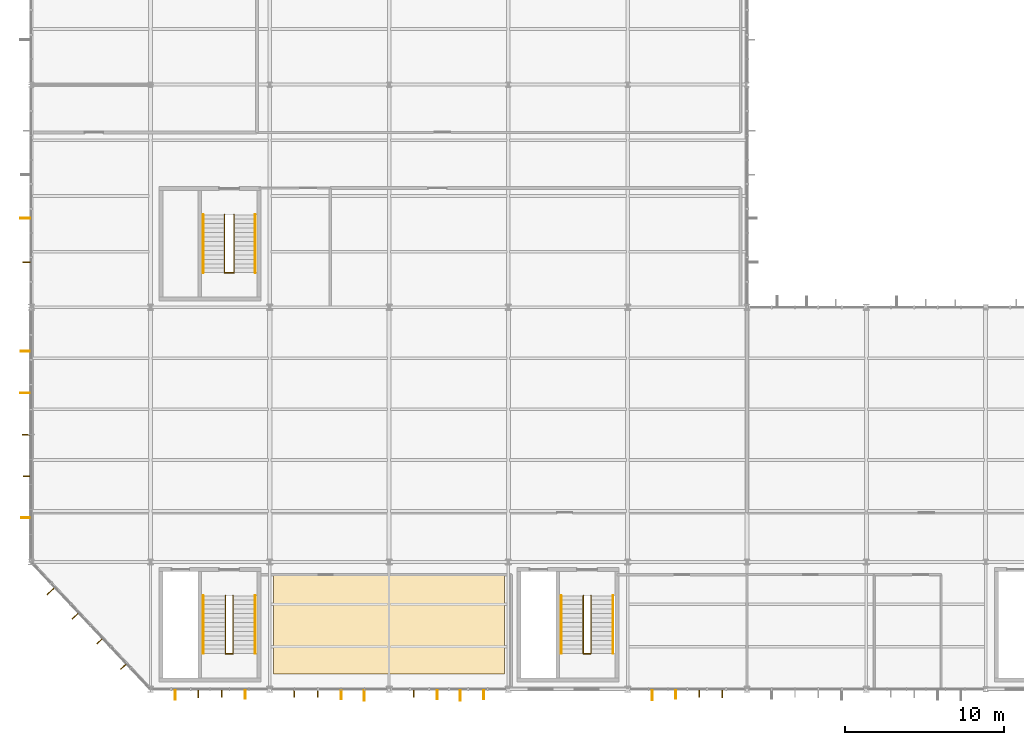
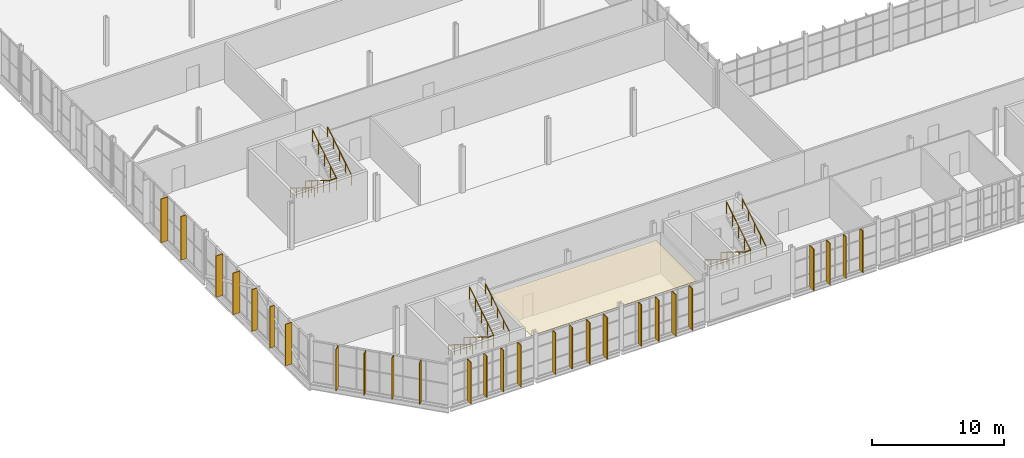
# One storey, part 313 of 324: 28 coverings, 9 railings.
"""IFC4 building model written with IfcOpenShell, lengths in metres."""

from ifc_helpers import new_model, si_unit, direction, frame, origin, origin_2d, place, context, subcontext, project, spatial, polyline, rectangle, circle, outline, extrude, material, layer, layer_set, type_object, element, save


model = new_model("IFC4")

# Units and contexts
model_context = context("Model", 3, precision=1e-05, world=origin(), true_north=direction((0.0, 1.0)))
body_context = subcontext(model_context, "Body", "Model", "MODEL_VIEW")
ifc_project = project(units=[si_unit("LENGTHUNIT", "METRE"), si_unit("AREAUNIT", "SQUARE_METRE"), si_unit("VOLUMEUNIT", "CUBIC_METRE"), si_unit("PLANEANGLEUNIT", "RADIAN"), si_unit("MASSUNIT", "GRAM", prefix="KILO")], contexts=[model_context])

# Site, building, storey
site_placement = place(None, origin())
site = spatial("IfcSite", under=ifc_project, at=site_placement, CompositionType="ELEMENT")
building_placement = place(site_placement, origin())
building = spatial("IfcBuilding", under=site, at=building_placement, Name="Solvenia Promenade Tram Depot", CompositionType="ELEMENT")
storey_placement = place(building_placement, frame((0.0, 0.0, 4.5)))
storey = spatial("IfcBuildingStorey", under=building, at=storey_placement, Name="L01", CompositionType="ELEMENT", Elevation=4.5)

# Coverings
ifc_material_1 = material(Name="Mineral-fibre acoustic ceiling tile", Category="other")
ifc_layer_1 = layer(ifc_material_1, 0.02001953125, Name="Mineral-fibre acoustic ceiling tile", Category="other")
ifc_layer_set_1 = layer_set([ifc_layer_1], Name="Mineral-fibre acoustic ceiling tile")
covering_type_1 = type_object("IfcCoveringType", Name="Ceiling-Acoustic-20", PredefinedType="CEILING", material=ifc_layer_set_1)
covering_1_placement = place(storey_placement, frame((0.0, 0.0, 3.14990234375)))
element("IfcCovering", 1, at=covering_1_placement, inside=storey, type_object=covering_type_1, Name="Operations Briefing Room Acoustic Ceiling", PredefinedType="CEILING", context=body_context, shape_type="SweptSolid", body=[
    extrude(outline(polyline([(15.25, 0.949951171875), (29.75, 0.949951171875), (29.75, 7.159912109375), (15.25, 7.159912109375), (15.25, 0.949951171875)])), origin(), (0.0, 0.0, 1.0), 0.02001953125),
])
ifc_material_2 = material(Name="Anodized aluminium AW-6063 T6", Category="aluminium")
ifc_layer_2 = layer(ifc_material_2, 0.06005859375, Name="Anodized aluminium AW-6063 T6", Category="aluminium")
ifc_layer_set_2 = layer_set([ifc_layer_2], Name="Anodized aluminium AW-6063 T6")
covering_type_2 = type_object("IfcCoveringType", Name="Fin-Param-560", PredefinedType="CLADDING", material=ifc_layer_set_2)
covering_2_placement = place(storey_placement, frame((-0.285888671875, 26.8359375, 0.0), z_axis=(0.0, 0.0, 1.0), x_axis=(0.0, 1.0, 0.0)))
element("IfcCovering", 2, at=covering_2_placement, inside=storey, type_object=covering_type_2, Name="Parametric Vertical Brise-Soleil Fin 229", PredefinedType="CLADDING", context=body_context, shape_type="SweptSolid", body=[
    extrude(rectangle(XDim=0.06005859375, YDim=0.48193359375, at=origin_2d()), origin(), (0.0, 0.0, 1.0), 4.050048828125),
])
covering_3_placement = place(storey_placement, frame((-0.357421875, 29.592041015625, 0.0), z_axis=(0.0, 0.0, 1.0), x_axis=(0.0, 1.0, 0.0)))
element("IfcCovering", 3, at=covering_3_placement, inside=storey, type_object=covering_type_2, Name="Parametric Vertical Brise-Soleil Fin 230", PredefinedType="CLADDING", context=body_context, shape_type="SweptSolid", body=[
    extrude(rectangle(XDim=0.06005859375, YDim=0.625, at=origin_2d()), origin(), (0.0, 0.0, 1.0), 4.050048828125),
])
covering_4_placement = place(storey_placement, frame((1.2255859375, 6.142822265625, 0.0), z_axis=(0.0, 0.0, 1.0), x_axis=(0.683910700219, -0.729565729819, 0.0)))
element("IfcCovering", 4, at=covering_4_placement, inside=storey, type_object=covering_type_2, Name="Parametric Vertical Brise-Soleil Fin 306", PredefinedType="CLADDING", context=body_context, shape_type="SweptSolid", body=[
    extrude(rectangle(XDim=0.06005859375, YDim=0.60205078125, at=origin_2d()), origin(), (0.0, 0.0, 1.0), 3.85009765625),
])
covering_5_placement = place(storey_placement, frame((2.762451171875, 4.577392578125, 0.0), z_axis=(0.0, 0.0, 1.0), x_axis=(0.683910700219, -0.729565729819, 0.0)))
element("IfcCovering", 5, at=covering_5_placement, inside=storey, type_object=covering_type_2, Name="Parametric Vertical Brise-Soleil Fin 307", PredefinedType="CLADDING", context=body_context, shape_type="SweptSolid", body=[
    extrude(rectangle(XDim=0.06005859375, YDim=0.5009765625, at=origin_2d()), origin(), (0.0, 0.0, 1.0), 3.85009765625),
])
covering_6_placement = place(storey_placement, frame((4.289794921875, 3.0029296875, 0.0), z_axis=(0.0, 0.0, 1.0), x_axis=(0.683910700219, -0.729565729819, 0.0)))
element("IfcCovering", 6, at=covering_6_placement, inside=storey, type_object=covering_type_2, Name="Parametric Vertical Brise-Soleil Fin 308", PredefinedType="CLADDING", context=body_context, shape_type="SweptSolid", body=[
    extrude(rectangle(XDim=0.06005859375, YDim=0.426025390625, at=origin_2d()), origin(), (0.0, 0.0, 1.0), 3.85009765625),
])
covering_7_placement = place(storey_placement, frame((5.78369140625, 1.397216796875, 0.0), z_axis=(0.0, 0.0, 1.0), x_axis=(0.683910700219, -0.729565729819, 0.0)))
element("IfcCovering", 7, at=covering_7_placement, inside=storey, type_object=covering_type_2, Name="Parametric Vertical Brise-Soleil Fin 309", PredefinedType="CLADDING", context=body_context, shape_type="SweptSolid", body=[
    extrude(rectangle(XDim=0.06005859375, YDim=0.443115234375, at=origin_2d()), origin(), (0.0, 0.0, 1.0), 3.85009765625),
])
covering_8_placement = place(storey_placement, frame((9.048095703125, -0.366943359375, 0.0), z_axis=(0.0, 0.0, 1.0), x_axis=(1.0, 0.0, 0.0)))
element("IfcCovering", 8, at=covering_8_placement, inside=storey, type_object=covering_type_2, Name="Parametric Vertical Brise-Soleil Fin 314", PredefinedType="CLADDING", context=body_context, shape_type="SweptSolid", body=[
    extrude(rectangle(XDim=0.06005859375, YDim=0.583984375, at=origin_2d()), origin(), (0.0, 0.0, 1.0), 3.85009765625),
])
covering_9_placement = place(storey_placement, frame((10.51611328125, -0.302490234375, 0.0), z_axis=(0.0, 0.0, 1.0), x_axis=(1.0, 0.0, 0.0)))
element("IfcCovering", 9, at=covering_9_placement, inside=storey, type_object=covering_type_2, Name="Parametric Vertical Brise-Soleil Fin 315", PredefinedType="CLADDING", context=body_context, shape_type="SweptSolid", body=[
    extrude(rectangle(XDim=0.06005859375, YDim=0.455078125, at=origin_2d()), origin(), (0.0, 0.0, 1.0), 3.85009765625),
])
covering_10_placement = place(storey_placement, frame((11.98388671875, -0.29052734375, 0.0), z_axis=(0.0, 0.0, 1.0), x_axis=(1.0, 0.0, 0.0)))
element("IfcCovering", 10, at=covering_10_placement, inside=storey, type_object=covering_type_2, Name="Parametric Vertical Brise-Soleil Fin 316", PredefinedType="CLADDING", context=body_context, shape_type="SweptSolid", body=[
    extrude(rectangle(XDim=0.06005859375, YDim=0.430908203125, at=origin_2d()), origin(), (0.0, 0.0, 1.0), 3.85009765625),
])
covering_11_placement = place(storey_placement, frame((13.451904296875, -0.347412109375, 0.0), z_axis=(0.0, 0.0, 1.0), x_axis=(1.0, 0.0, 0.0)))
element("IfcCovering", 11, at=covering_11_placement, inside=storey, type_object=covering_type_2, Name="Parametric Vertical Brise-Soleil Fin 317", PredefinedType="CLADDING", context=body_context, shape_type="SweptSolid", body=[
    extrude(rectangle(XDim=0.06005859375, YDim=0.544921875, at=origin_2d()), origin(), (0.0, 0.0, 1.0), 3.85009765625),
])
covering_12_placement = place(storey_placement, frame((16.548095703125, -0.299072265625, 0.0), z_axis=(0.0, 0.0, 1.0), x_axis=(1.0, 0.0, 0.0)))
element("IfcCovering", 12, at=covering_12_placement, inside=storey, type_object=covering_type_2, Name="Parametric Vertical Brise-Soleil Fin 318", PredefinedType="CLADDING", context=body_context, shape_type="SweptSolid", body=[
    extrude(rectangle(XDim=0.06005859375, YDim=0.447998046875, at=origin_2d()), origin(), (0.0, 0.0, 1.0), 3.85009765625),
])
covering_13_placement = place(storey_placement, frame((18.01611328125, -0.29248046875, 0.0), z_axis=(0.0, 0.0, 1.0), x_axis=(1.0, 0.0, 0.0)))
element("IfcCovering", 13, at=covering_13_placement, inside=storey, type_object=covering_type_2, Name="Parametric Vertical Brise-Soleil Fin 319", PredefinedType="CLADDING", context=body_context, shape_type="SweptSolid", body=[
    extrude(rectangle(XDim=0.06005859375, YDim=0.43505859375, at=origin_2d()), origin(), (0.0, 0.0, 1.0), 3.85009765625),
])
covering_14_placement = place(storey_placement, frame((19.48388671875, -0.35205078125, 0.0), z_axis=(0.0, 0.0, 1.0), x_axis=(1.0, 0.0, 0.0)))
element("IfcCovering", 14, at=covering_14_placement, inside=storey, type_object=covering_type_2, Name="Parametric Vertical Brise-Soleil Fin 320", PredefinedType="CLADDING", context=body_context, shape_type="SweptSolid", body=[
    extrude(rectangle(XDim=0.06005859375, YDim=0.553955078125, at=origin_2d()), origin(), (0.0, 0.0, 1.0), 3.85009765625),
])
covering_15_placement = place(storey_placement, frame((20.951904296875, -0.39501953125, 0.0), z_axis=(0.0, 0.0, 1.0), x_axis=(1.0, 0.0, 0.0)))
element("IfcCovering", 15, at=covering_15_placement, inside=storey, type_object=covering_type_2, Name="Parametric Vertical Brise-Soleil Fin 321", PredefinedType="CLADDING", context=body_context, shape_type="SweptSolid", body=[
    extrude(rectangle(XDim=0.06005859375, YDim=0.639892578125, at=origin_2d()), origin(), (0.0, 0.0, 1.0), 3.85009765625),
])
covering_16_placement = place(storey_placement, frame((24.048095703125, -0.294921875, 0.0), z_axis=(0.0, 0.0, 1.0), x_axis=(1.0, 0.0, 0.0)))
element("IfcCovering", 16, at=covering_16_placement, inside=storey, type_object=covering_type_2, Name="Parametric Vertical Brise-Soleil Fin 322", PredefinedType="CLADDING", context=body_context, shape_type="SweptSolid", body=[
    extrude(rectangle(XDim=0.06005859375, YDim=0.43994140625, at=origin_2d()), origin(), (0.0, 0.0, 1.0), 3.85009765625),
])
covering_17_placement = place(storey_placement, frame((25.51611328125, -0.35693359375, 0.0), z_axis=(0.0, 0.0, 1.0), x_axis=(1.0, 0.0, 0.0)))
element("IfcCovering", 17, at=covering_17_placement, inside=storey, type_object=covering_type_2, Name="Parametric Vertical Brise-Soleil Fin 323", PredefinedType="CLADDING", context=body_context, shape_type="SweptSolid", body=[
    extrude(rectangle(XDim=0.06005859375, YDim=0.56396484375, at=origin_2d()), origin(), (0.0, 0.0, 1.0), 3.85009765625),
])
covering_18_placement = place(storey_placement, frame((26.98388671875, -0.39501953125, 0.0), z_axis=(0.0, 0.0, 1.0), x_axis=(1.0, 0.0, 0.0)))
element("IfcCovering", 18, at=covering_18_placement, inside=storey, type_object=covering_type_2, Name="Parametric Vertical Brise-Soleil Fin 324", PredefinedType="CLADDING", context=body_context, shape_type="SweptSolid", body=[
    extrude(rectangle(XDim=0.06005859375, YDim=0.639892578125, at=origin_2d()), origin(), (0.0, 0.0, 1.0), 3.85009765625),
])
covering_19_placement = place(storey_placement, frame((28.451904296875, -0.3564453125, 0.0), z_axis=(0.0, 0.0, 1.0), x_axis=(1.0, 0.0, 0.0)))
element("IfcCovering", 19, at=covering_19_placement, inside=storey, type_object=covering_type_2, Name="Parametric Vertical Brise-Soleil Fin 325", PredefinedType="CLADDING", context=body_context, shape_type="SweptSolid", body=[
    extrude(rectangle(XDim=0.06005859375, YDim=0.56298828125, at=origin_2d()), origin(), (0.0, 0.0, 1.0), 3.85009765625),
])
covering_20_placement = place(storey_placement, frame((39.048095703125, -0.39404296875, 0.0), z_axis=(0.0, 0.0, 1.0), x_axis=(1.0, 0.0, 0.0)))
element("IfcCovering", 20, at=covering_20_placement, inside=storey, type_object=covering_type_2, Name="Parametric Vertical Brise-Soleil Fin 326", PredefinedType="CLADDING", context=body_context, shape_type="SweptSolid", body=[
    extrude(rectangle(XDim=0.06005859375, YDim=0.637939453125, at=origin_2d()), origin(), (0.0, 0.0, 1.0), 3.85009765625),
])
covering_21_placement = place(storey_placement, frame((40.51611328125, -0.346923828125, 0.0), z_axis=(0.0, 0.0, 1.0), x_axis=(1.0, 0.0, 0.0)))
element("IfcCovering", 21, at=covering_21_placement, inside=storey, type_object=covering_type_2, Name="Parametric Vertical Brise-Soleil Fin 327", PredefinedType="CLADDING", context=body_context, shape_type="SweptSolid", body=[
    extrude(rectangle(XDim=0.06005859375, YDim=0.5439453125, at=origin_2d()), origin(), (0.0, 0.0, 1.0), 3.85009765625),
])
covering_22_placement = place(storey_placement, frame((41.98388671875, -0.2900390625, 0.0), z_axis=(0.0, 0.0, 1.0), x_axis=(1.0, 0.0, 0.0)))
element("IfcCovering", 22, at=covering_22_placement, inside=storey, type_object=covering_type_2, Name="Parametric Vertical Brise-Soleil Fin 328", PredefinedType="CLADDING", context=body_context, shape_type="SweptSolid", body=[
    extrude(rectangle(XDim=0.06005859375, YDim=0.429931640625, at=origin_2d()), origin(), (0.0, 0.0, 1.0), 3.85009765625),
])
covering_23_placement = place(storey_placement, frame((43.451904296875, -0.302490234375, 0.0), z_axis=(0.0, 0.0, 1.0), x_axis=(1.0, 0.0, 0.0)))
element("IfcCovering", 23, at=covering_23_placement, inside=storey, type_object=covering_type_2, Name="Parametric Vertical Brise-Soleil Fin 329", PredefinedType="CLADDING", context=body_context, shape_type="SweptSolid", body=[
    extrude(rectangle(XDim=0.06005859375, YDim=0.455078125, at=origin_2d()), origin(), (0.0, 0.0, 1.0), 3.85009765625),
])
covering_24_placement = place(storey_placement, frame((-0.35107421875, 10.7666015625, 0.0), z_axis=(0.0, 0.0, 1.0), x_axis=(0.0, 1.0, 0.0)))
element("IfcCovering", 24, at=covering_24_placement, inside=storey, type_object=covering_type_2, Name="Parametric Vertical Brise-Soleil Fin 361", PredefinedType="CLADDING", context=body_context, shape_type="SweptSolid", body=[
    extrude(rectangle(XDim=0.06005859375, YDim=0.552001953125, at=origin_2d()), origin(), (0.0, 0.0, 1.0), 3.85009765625),
])
covering_25_placement = place(storey_placement, frame((-0.28759765625, 13.38330078125, 0.0), z_axis=(0.0, 0.0, 1.0), x_axis=(0.0, 1.0, 0.0)))
element("IfcCovering", 25, at=covering_25_placement, inside=storey, type_object=covering_type_2, Name="Parametric Vertical Brise-Soleil Fin 362", PredefinedType="CLADDING", context=body_context, shape_type="SweptSolid", body=[
    extrude(rectangle(XDim=0.06005859375, YDim=0.425048828125, at=origin_2d()), origin(), (0.0, 0.0, 1.0), 3.85009765625),
])
covering_26_placement = place(storey_placement, frame((-0.318603515625, 16.0, 0.0), z_axis=(0.0, 0.0, 1.0), x_axis=(0.0, 1.0, 0.0)))
element("IfcCovering", 26, at=covering_26_placement, inside=storey, type_object=covering_type_2, Name="Parametric Vertical Brise-Soleil Fin 363", PredefinedType="CLADDING", context=body_context, shape_type="SweptSolid", body=[
    extrude(rectangle(XDim=0.06005859375, YDim=0.487060546875, at=origin_2d()), origin(), (0.0, 0.0, 1.0), 3.85009765625),
])
covering_27_placement = place(storey_placement, frame((-0.387939453125, 18.61669921875, 0.0), z_axis=(0.0, 0.0, 1.0), x_axis=(0.0, 1.0, 0.0)))
element("IfcCovering", 27, at=covering_27_placement, inside=storey, type_object=covering_type_2, Name="Parametric Vertical Brise-Soleil Fin 364", PredefinedType="CLADDING", context=body_context, shape_type="SweptSolid", body=[
    extrude(rectangle(XDim=0.06005859375, YDim=0.6259765625, at=origin_2d()), origin(), (0.0, 0.0, 1.0), 3.85009765625),
])
covering_28_placement = place(storey_placement, frame((-0.37109375, 21.2333984375, 0.0), z_axis=(0.0, 0.0, 1.0), x_axis=(0.0, 1.0, 0.0)))
element("IfcCovering", 28, at=covering_28_placement, inside=storey, type_object=covering_type_2, Name="Parametric Vertical Brise-Soleil Fin 365", PredefinedType="CLADDING", context=body_context, shape_type="SweptSolid", body=[
    extrude(rectangle(XDim=0.06005859375, YDim=0.592041015625, at=origin_2d()), origin(), (0.0, 0.0, 1.0), 3.85009765625),
])

# Railings
railing_type_1 = type_object("IfcRailingType", Name="Guard-Stair-1100", PredefinedType="GUARDRAIL", material=ifc_material_2)
railing_1_placement = place(storey_placement, frame((12.2099609375, 5.8701171875, 0.0)))
element("IfcRailing", 29, at=railing_1_placement, inside=storey, type_object=railing_type_1, Name="Stair Inner Well Guard ST-01-L01", PredefinedType="GUARDRAIL", context=body_context, shape_type="SweptSolid", body=[
    extrude(circle(Radius=0.02392578125, at=origin_2d()), frame((0.0, 0.0, 1.09619140625), z_axis=(0.0, -0.850622404505, 0.525777067734), x_axis=(1.0, 0.0, 0.0)), (0.0, 0.0, 1.0), 4.279296875),
    extrude(circle(Radius=0.02392578125, at=origin_2d()), frame((0.0, -3.64013671875, 3.34619140625), z_axis=(1.0, 0.0, 0.0), x_axis=(0.0, 1.0, 0.0)), (0.0, 0.0, 1.0), 0.47998046875),
    extrude(circle(Radius=0.02392578125, at=origin_2d()), frame((0.47998046875, -3.64013671875, 3.34619140625), z_axis=(0.0, 0.850622404505, 0.525777067734), x_axis=(-1.0, 0.0, 0.0)), (0.0, 0.0, 1.0), 4.279296875),
    extrude(circle(Radius=0.02099609375, at=origin_2d()), origin(), (0.0, 0.0, 1.0), 1.072021484375),
    extrude(circle(Radius=0.02099609375, at=origin_2d()), frame((0.0, -0.91015625, 0.5625)), (0.0, 0.0, 1.0), 1.072021484375),
    extrude(circle(Radius=0.02099609375, at=origin_2d()), frame((0.0, -1.820068359375, 1.125)), (0.0, 0.0, 1.0), 1.072021484375),
    extrude(circle(Radius=0.02099609375, at=origin_2d()), frame((0.0, -2.72998046875, 1.6875)), (0.0, 0.0, 1.0), 1.072021484375),
    extrude(circle(Radius=0.02099609375, at=origin_2d()), frame((0.0, -3.64013671875, 2.25)), (0.0, 0.0, 1.0), 1.072021484375),
    extrude(circle(Radius=0.02099609375, at=origin_2d()), frame((0.47998046875, -3.64013671875, 2.25)), (0.0, 0.0, 1.0), 1.072021484375),
    extrude(circle(Radius=0.02099609375, at=origin_2d()), frame((0.47998046875, -2.72998046875, 2.8125)), (0.0, 0.0, 1.0), 1.072021484375),
    extrude(circle(Radius=0.02099609375, at=origin_2d()), frame((0.47998046875, -1.820068359375, 3.375)), (0.0, 0.0, 1.0), 1.072021484375),
    extrude(circle(Radius=0.02099609375, at=origin_2d()), frame((0.47998046875, -0.91015625, 3.9375)), (0.0, 0.0, 1.0), 1.072021484375),
    extrude(circle(Radius=0.02099609375, at=origin_2d()), frame((0.47998046875, 0.0, 4.5)), (0.0, 0.0, 1.0), 1.072021484375),
])
railing_2_placement = place(storey_placement, frame((34.7099609375, 5.8701171875, 0.0)))
element("IfcRailing", 30, at=railing_2_placement, inside=storey, type_object=railing_type_1, Name="Stair Inner Well Guard ST-02-L01", PredefinedType="GUARDRAIL", context=body_context, shape_type="SweptSolid", body=[
    extrude(circle(Radius=0.02392578125, at=origin_2d()), frame((0.0, 0.0, 1.09619140625), z_axis=(0.0, -0.850622404505, 0.525777067734), x_axis=(1.0, 0.0, 0.0)), (0.0, 0.0, 1.0), 4.279296875),
    extrude(circle(Radius=0.02392578125, at=origin_2d()), frame((0.0, -3.64013671875, 3.34619140625), z_axis=(1.0, 0.0, 0.0), x_axis=(0.0, 1.0, 0.0)), (0.0, 0.0, 1.0), 0.47998046875),
    extrude(circle(Radius=0.02392578125, at=origin_2d()), frame((0.47998046875, -3.64013671875, 3.34619140625), z_axis=(0.0, 0.850622404505, 0.525777067734), x_axis=(-1.0, 0.0, 0.0)), (0.0, 0.0, 1.0), 4.279296875),
    extrude(circle(Radius=0.02099609375, at=origin_2d()), origin(), (0.0, 0.0, 1.0), 1.072021484375),
    extrude(circle(Radius=0.02099609375, at=origin_2d()), frame((0.0, -0.91015625, 0.5625)), (0.0, 0.0, 1.0), 1.072021484375),
    extrude(circle(Radius=0.02099609375, at=origin_2d()), frame((0.0, -1.820068359375, 1.125)), (0.0, 0.0, 1.0), 1.072021484375),
    extrude(circle(Radius=0.02099609375, at=origin_2d()), frame((0.0, -2.72998046875, 1.6875)), (0.0, 0.0, 1.0), 1.072021484375),
    extrude(circle(Radius=0.02099609375, at=origin_2d()), frame((0.0, -3.64013671875, 2.25)), (0.0, 0.0, 1.0), 1.072021484375),
    extrude(circle(Radius=0.02099609375, at=origin_2d()), frame((0.47998046875, -3.64013671875, 2.25)), (0.0, 0.0, 1.0), 1.072021484375),
    extrude(circle(Radius=0.02099609375, at=origin_2d()), frame((0.47998046875, -2.72998046875, 2.8125)), (0.0, 0.0, 1.0), 1.072021484375),
    extrude(circle(Radius=0.02099609375, at=origin_2d()), frame((0.47998046875, -1.820068359375, 3.375)), (0.0, 0.0, 1.0), 1.072021484375),
    extrude(circle(Radius=0.02099609375, at=origin_2d()), frame((0.47998046875, -0.91015625, 3.9375)), (0.0, 0.0, 1.0), 1.072021484375),
    extrude(circle(Radius=0.02099609375, at=origin_2d()), frame((0.47998046875, 0.0, 4.5)), (0.0, 0.0, 1.0), 1.072021484375),
])
railing_3_placement = place(storey_placement, frame((12.14990234375, 29.820068359375, 0.0)))
element("IfcRailing", 31, at=railing_3_placement, inside=storey, type_object=railing_type_1, Name="Stair Inner Well Guard ST-07-L01", PredefinedType="GUARDRAIL", context=body_context, shape_type="SweptSolid", body=[
    extrude(circle(Radius=0.02392578125, at=origin_2d()), frame((0.0, 0.0, 1.09619140625), z_axis=(0.0, -0.850622404505, 0.525777067734), x_axis=(1.0, 0.0, 0.0)), (0.0, 0.0, 1.0), 4.279296875),
    extrude(circle(Radius=0.02392578125, at=origin_2d()), frame((0.0, -3.64013671875, 3.34619140625), z_axis=(1.0, 0.0, 0.0), x_axis=(0.0, 1.0, 0.0)), (0.0, 0.0, 1.0), 0.60009765625),
    extrude(circle(Radius=0.02392578125, at=origin_2d()), frame((0.60009765625, -3.64013671875, 3.34619140625), z_axis=(0.0, 0.850622404505, 0.525777067734), x_axis=(-1.0, 0.0, 0.0)), (0.0, 0.0, 1.0), 4.279296875),
    extrude(circle(Radius=0.02099609375, at=origin_2d()), origin(), (0.0, 0.0, 1.0), 1.072021484375),
    extrude(circle(Radius=0.02099609375, at=origin_2d()), frame((0.0, -0.91015625, 0.5625)), (0.0, 0.0, 1.0), 1.072021484375),
    extrude(circle(Radius=0.02099609375, at=origin_2d()), frame((0.0, -1.820068359375, 1.125)), (0.0, 0.0, 1.0), 1.072021484375),
    extrude(circle(Radius=0.02099609375, at=origin_2d()), frame((0.0, -2.72998046875, 1.6875)), (0.0, 0.0, 1.0), 1.072021484375),
    extrude(circle(Radius=0.02099609375, at=origin_2d()), frame((0.0, -3.64013671875, 2.25)), (0.0, 0.0, 1.0), 1.072021484375),
    extrude(circle(Radius=0.02099609375, at=origin_2d()), frame((0.60009765625, -3.64013671875, 2.25)), (0.0, 0.0, 1.0), 1.072021484375),
    extrude(circle(Radius=0.02099609375, at=origin_2d()), frame((0.60009765625, -2.72998046875, 2.8125)), (0.0, 0.0, 1.0), 1.072021484375),
    extrude(circle(Radius=0.02099609375, at=origin_2d()), frame((0.60009765625, -1.820068359375, 3.375)), (0.0, 0.0, 1.0), 1.072021484375),
    extrude(circle(Radius=0.02099609375, at=origin_2d()), frame((0.60009765625, -0.91015625, 3.9375)), (0.0, 0.0, 1.0), 1.072021484375),
    extrude(circle(Radius=0.02099609375, at=origin_2d()), frame((0.60009765625, 0.0, 4.5)), (0.0, 0.0, 1.0), 1.072021484375),
])
railing_type_2 = type_object("IfcRailingType", Name="Handrail-Stair-920", PredefinedType="HANDRAIL", material=ifc_material_2)
railing_4_placement = place(storey_placement, frame((10.820068359375, 5.8701171875, 0.0)))
element("IfcRailing", 32, at=railing_4_placement, inside=storey, type_object=railing_type_2, Name="Stair Wall Handrail ST-01-L01-F1", PredefinedType="HANDRAIL", context=body_context, shape_type="SweptSolid", body=[
    extrude(circle(Radius=0.02392578125, at=origin_2d()), frame((0.0, 0.0, 0.89599609375), z_axis=(0.0, -0.850622404505, 0.525777067734), x_axis=(1.0, 0.0, 0.0)), (0.0, 0.0, 1.0), 4.279296875),
    extrude(circle(Radius=0.02099609375, at=origin_2d()), origin(), (0.0, 0.0, 1.0), 0.871826171875),
    extrude(circle(Radius=0.02099609375, at=origin_2d()), frame((0.0, -0.91015625, 0.5625)), (0.0, 0.0, 1.0), 0.871826171875),
    extrude(circle(Radius=0.02099609375, at=origin_2d()), frame((0.0, -1.820068359375, 1.125)), (0.0, 0.0, 1.0), 0.871826171875),
    extrude(circle(Radius=0.02099609375, at=origin_2d()), frame((0.0, -2.72998046875, 1.6875)), (0.0, 0.0, 1.0), 0.871826171875),
    extrude(circle(Radius=0.02099609375, at=origin_2d()), frame((0.0, -3.64013671875, 2.25)), (0.0, 0.0, 1.0), 0.871826171875),
])
railing_5_placement = place(storey_placement, frame((14.080078125, 2.22998046875, 2.25)))
element("IfcRailing", 33, at=railing_5_placement, inside=storey, type_object=railing_type_2, Name="Stair Wall Handrail ST-01-L01-F2", PredefinedType="HANDRAIL", context=body_context, shape_type="SweptSolid", body=[
    extrude(circle(Radius=0.02392578125, at=origin_2d()), frame((0.0, 0.0, 0.89599609375), z_axis=(0.0, 0.850622404505, 0.525777067734), x_axis=(-1.0, 0.0, 0.0)), (0.0, 0.0, 1.0), 4.279296875),
    extrude(circle(Radius=0.02099609375, at=origin_2d()), origin(), (0.0, 0.0, 1.0), 0.871826171875),
    extrude(circle(Radius=0.02099609375, at=origin_2d()), frame((0.0, 0.91015625, 0.5625)), (0.0, 0.0, 1.0), 0.871826171875),
    extrude(circle(Radius=0.02099609375, at=origin_2d()), frame((0.0, 1.820068359375, 1.125)), (0.0, 0.0, 1.0), 0.871826171875),
    extrude(circle(Radius=0.02099609375, at=origin_2d()), frame((0.0, 2.72998046875, 1.6875)), (0.0, 0.0, 1.0), 0.871826171875),
    extrude(circle(Radius=0.02099609375, at=origin_2d()), frame((0.0, 3.64013671875, 2.25)), (0.0, 0.0, 1.0), 0.871826171875),
])
railing_6_placement = place(storey_placement, frame((33.320068359375, 5.8701171875, 0.0)))
element("IfcRailing", 34, at=railing_6_placement, inside=storey, type_object=railing_type_2, Name="Stair Wall Handrail ST-02-L01-F1", PredefinedType="HANDRAIL", context=body_context, shape_type="SweptSolid", body=[
    extrude(circle(Radius=0.02392578125, at=origin_2d()), frame((0.0, 0.0, 0.89599609375), z_axis=(0.0, -0.850622404505, 0.525777067734), x_axis=(1.0, 0.0, 0.0)), (0.0, 0.0, 1.0), 4.279296875),
    extrude(circle(Radius=0.02099609375, at=origin_2d()), origin(), (0.0, 0.0, 1.0), 0.871826171875),
    extrude(circle(Radius=0.02099609375, at=origin_2d()), frame((0.0, -0.91015625, 0.5625)), (0.0, 0.0, 1.0), 0.871826171875),
    extrude(circle(Radius=0.02099609375, at=origin_2d()), frame((0.0, -1.820068359375, 1.125)), (0.0, 0.0, 1.0), 0.871826171875),
    extrude(circle(Radius=0.02099609375, at=origin_2d()), frame((0.0, -2.72998046875, 1.6875)), (0.0, 0.0, 1.0), 0.871826171875),
    extrude(circle(Radius=0.02099609375, at=origin_2d()), frame((0.0, -3.64013671875, 2.25)), (0.0, 0.0, 1.0), 0.871826171875),
])
railing_7_placement = place(storey_placement, frame((36.580078125, 2.22998046875, 2.25)))
element("IfcRailing", 35, at=railing_7_placement, inside=storey, type_object=railing_type_2, Name="Stair Wall Handrail ST-02-L01-F2", PredefinedType="HANDRAIL", context=body_context, shape_type="SweptSolid", body=[
    extrude(circle(Radius=0.02392578125, at=origin_2d()), frame((0.0, 0.0, 0.89599609375), z_axis=(0.0, 0.850622404505, 0.525777067734), x_axis=(-1.0, 0.0, 0.0)), (0.0, 0.0, 1.0), 4.279296875),
    extrude(circle(Radius=0.02099609375, at=origin_2d()), origin(), (0.0, 0.0, 1.0), 0.871826171875),
    extrude(circle(Radius=0.02099609375, at=origin_2d()), frame((0.0, 0.91015625, 0.5625)), (0.0, 0.0, 1.0), 0.871826171875),
    extrude(circle(Radius=0.02099609375, at=origin_2d()), frame((0.0, 1.820068359375, 1.125)), (0.0, 0.0, 1.0), 0.871826171875),
    extrude(circle(Radius=0.02099609375, at=origin_2d()), frame((0.0, 2.72998046875, 1.6875)), (0.0, 0.0, 1.0), 0.871826171875),
    extrude(circle(Radius=0.02099609375, at=origin_2d()), frame((0.0, 3.64013671875, 2.25)), (0.0, 0.0, 1.0), 0.871826171875),
])
railing_8_placement = place(storey_placement, frame((10.820068359375, 29.820068359375, 0.0)))
element("IfcRailing", 36, at=railing_8_placement, inside=storey, type_object=railing_type_2, Name="Stair Wall Handrail ST-07-L01-F1", PredefinedType="HANDRAIL", context=body_context, shape_type="SweptSolid", body=[
    extrude(circle(Radius=0.02392578125, at=origin_2d()), frame((0.0, 0.0, 0.89599609375), z_axis=(0.0, -0.850622404505, 0.525777067734), x_axis=(1.0, 0.0, 0.0)), (0.0, 0.0, 1.0), 4.279296875),
    extrude(circle(Radius=0.02099609375, at=origin_2d()), origin(), (0.0, 0.0, 1.0), 0.871826171875),
    extrude(circle(Radius=0.02099609375, at=origin_2d()), frame((0.0, -0.91015625, 0.5625)), (0.0, 0.0, 1.0), 0.871826171875),
    extrude(circle(Radius=0.02099609375, at=origin_2d()), frame((0.0, -1.820068359375, 1.125)), (0.0, 0.0, 1.0), 0.871826171875),
    extrude(circle(Radius=0.02099609375, at=origin_2d()), frame((0.0, -2.72998046875, 1.6875)), (0.0, 0.0, 1.0), 0.871826171875),
    extrude(circle(Radius=0.02099609375, at=origin_2d()), frame((0.0, -3.64013671875, 2.25)), (0.0, 0.0, 1.0), 0.871826171875),
])
railing_9_placement = place(storey_placement, frame((14.080078125, 26.179931640625, 2.25)))
element("IfcRailing", 37, at=railing_9_placement, inside=storey, type_object=railing_type_2, Name="Stair Wall Handrail ST-07-L01-F2", PredefinedType="HANDRAIL", context=body_context, shape_type="SweptSolid", body=[
    extrude(circle(Radius=0.02392578125, at=origin_2d()), frame((0.0, 0.0, 0.89599609375), z_axis=(0.0, 0.850622404505, 0.525777067734), x_axis=(-1.0, 0.0, 0.0)), (0.0, 0.0, 1.0), 4.279296875),
    extrude(circle(Radius=0.02099609375, at=origin_2d()), origin(), (0.0, 0.0, 1.0), 0.871826171875),
    extrude(circle(Radius=0.02099609375, at=origin_2d()), frame((0.0, 0.91015625, 0.5625)), (0.0, 0.0, 1.0), 0.871826171875),
    extrude(circle(Radius=0.02099609375, at=origin_2d()), frame((0.0, 1.820068359375, 1.125)), (0.0, 0.0, 1.0), 0.871826171875),
    extrude(circle(Radius=0.02099609375, at=origin_2d()), frame((0.0, 2.72998046875, 1.6875)), (0.0, 0.0, 1.0), 0.871826171875),
    extrude(circle(Radius=0.02099609375, at=origin_2d()), frame((0.0, 3.64013671875, 2.25)), (0.0, 0.0, 1.0), 0.871826171875),
])

save(model, "model.ifc")
